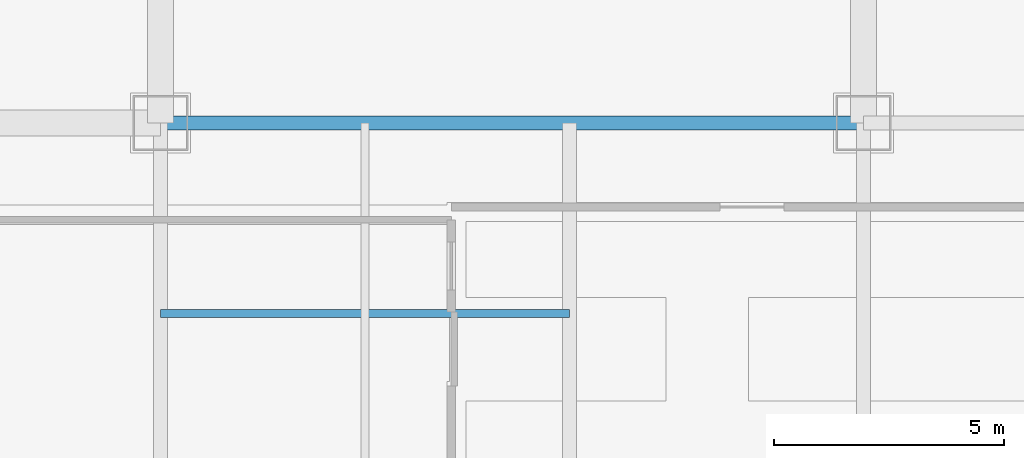
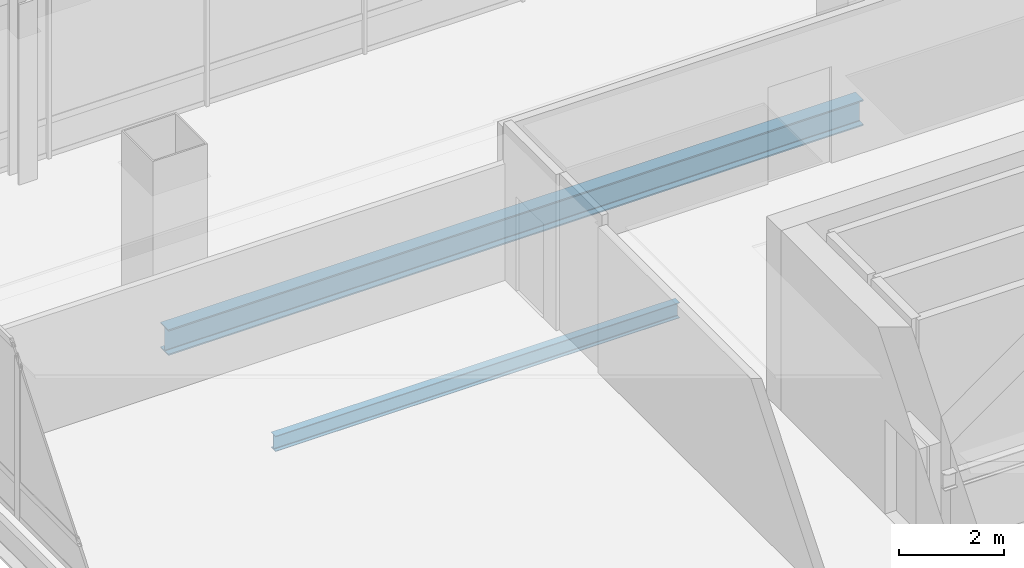
# One storey, part 21 of 43: 2 beams.
"""IFC4 building model written with IfcOpenShell, lengths in metres."""

from ifc_helpers import new_model, si_unit, direction, frame, origin, origin_2d, place, context, subcontext, project, spatial, i_section, extrude, material, material_profile, profile_set, type_object, element, save


model = new_model("IFC4")

# Units and contexts
model_context = context("Model", 3, precision=1e-05, world=origin(), true_north=direction((0.0, 1.0)))
body_context = subcontext(model_context, "Body", "Model", "MODEL_VIEW")
ifc_project = project(units=[si_unit("LENGTHUNIT", "METRE"), si_unit("AREAUNIT", "SQUARE_METRE"), si_unit("VOLUMEUNIT", "CUBIC_METRE"), si_unit("PLANEANGLEUNIT", "RADIAN"), si_unit("MASSUNIT", "GRAM", prefix="KILO")], contexts=[model_context])

# Site, building, storey
site_placement = place(None, origin())
site = spatial("IfcSite", under=ifc_project, at=site_placement, CompositionType="ELEMENT")
building_placement = place(site_placement, origin())
building = spatial("IfcBuilding", under=site, at=building_placement, Name="Punatoya Terracotta Tower", CompositionType="ELEMENT")
storey_placement = place(building_placement, frame((0.0, 0.0, 300.60009765625)))
storey = spatial("IfcBuildingStorey", under=building, at=storey_placement, Name="L71", CompositionType="ELEMENT", Elevation=300.60009765625)

# Beams
ifc_material = material(Name="Steel S355", Category="steel")
ifc_material_profile_1 = material_profile(ifc_material, i_section(OverallWidth=0.300048828125, OverallDepth=0.60009765625, WebThickness=0.015380859375, FlangeThickness=0.030029296875, FilletRadius=0.01806640625, at=origin_2d()))
ifc_profile_set_1 = profile_set([ifc_material_profile_1], Name="Steel S355")
beam_type_1 = type_object("IfcBeamType", Name="BM-PRI-600", PredefinedType="BEAM", material=ifc_profile_set_1)
beam_1_placement = place(storey_placement, frame((-19.10009765625, 17.5, -0.5), z_axis=(1.0, 0.0, 0.0), x_axis=(0.0, 1.0, 0.0)))
element("IfcBeam", 1, at=beam_1_placement, inside=storey, type_object=beam_type_1, Name="BM-L71-RG-N1", PredefinedType="BEAM", context=body_context, shape_type="SweptSolid", body=[
    extrude(i_section(OverallWidth=0.300048828125, OverallDepth=0.60009765625, WebThickness=0.015380859375, FlangeThickness=0.030029296875, FilletRadius=0.01806640625, at=origin_2d()), origin(), (0.0, 0.0, 1.0), 15.300048828125),
])
ifc_material_profile_2 = material_profile(ifc_material, i_section(OverallWidth=0.169921875, OverallDepth=0.360107421875, WebThickness=0.008056640625, FlangeThickness=0.0126953125, FilletRadius=0.01806640625, at=origin_2d()))
ifc_profile_set_2 = profile_set([ifc_material_profile_2], Name="Steel S355")
beam_type_2 = type_object("IfcBeamType", Name="BM-SEC-360", PredefinedType="JOIST", material=ifc_profile_set_2)
beam_2_placement = place(storey_placement, frame((-19.10009765625, 13.35009765625, -0.380126953125), z_axis=(1.0, 0.0, 0.0), x_axis=(0.0, 1.0, 0.0)))
element("IfcBeam", 2, at=beam_2_placement, inside=storey, type_object=beam_type_2, Name="BM-L71-SJN-1", PredefinedType="JOIST", context=body_context, shape_type="SweptSolid", body=[
    extrude(i_section(OverallWidth=0.169921875, OverallDepth=0.360107421875, WebThickness=0.008056640625, FlangeThickness=0.0126953125, FilletRadius=0.01806640625, at=origin_2d()), origin(), (0.0, 0.0, 1.0), 8.900146484375),
])

save(model, "model.ifc")
